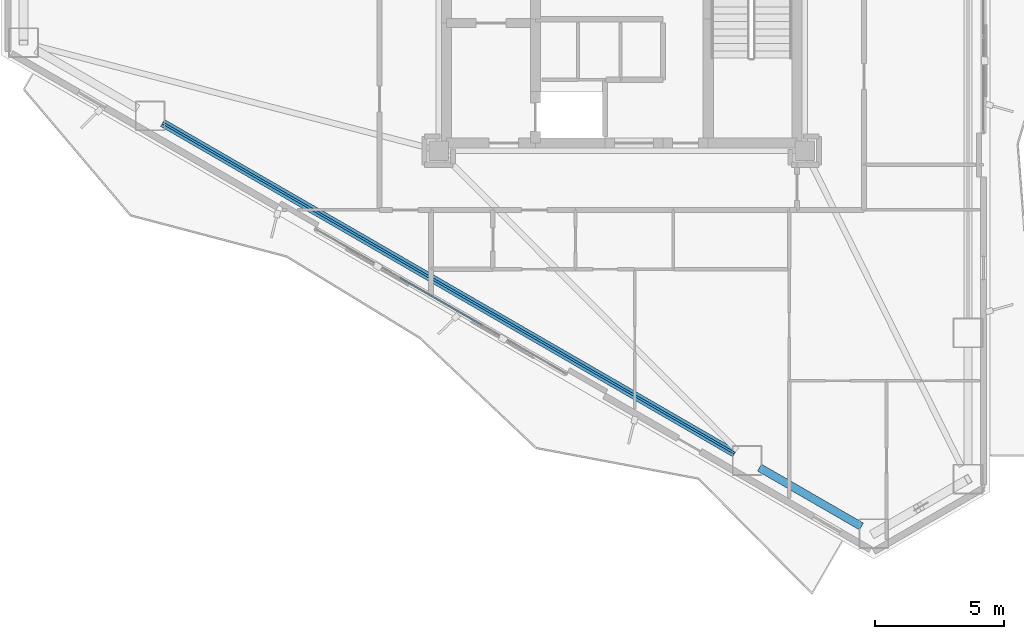
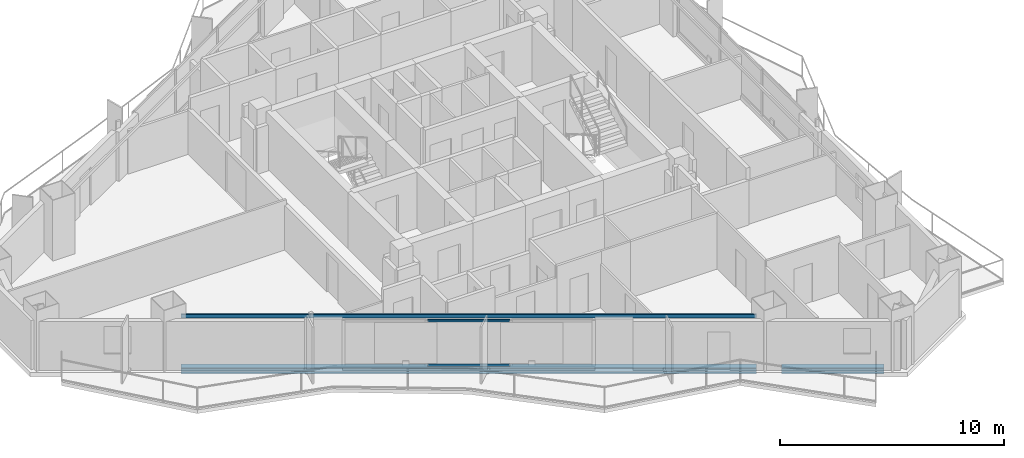
# One storey, part 3 of 22: 3 beams, 2 members, 1 element without a shape of its own.
"""IFC4 building model written with IfcOpenShell, lengths in metres."""

from ifc_helpers import new_model, si_unit, direction, frame, origin, origin_2d, place, context, subcontext, project, spatial, hollow_rectangle, i_section, extrude, material, layer, layer_set, material_profile, profile_set, type_object, element, aggregate, save


model = new_model("IFC4")

# Units and contexts
model_context = context("Model", 3, precision=1e-05, world=origin(), true_north=direction((0.0, 1.0)))
body_context = subcontext(model_context, "Body", "Model", "MODEL_VIEW")
ifc_project = project(units=[si_unit("LENGTHUNIT", "METRE"), si_unit("AREAUNIT", "SQUARE_METRE"), si_unit("VOLUMEUNIT", "CUBIC_METRE"), si_unit("PLANEANGLEUNIT", "RADIAN"), si_unit("MASSUNIT", "GRAM", prefix="KILO")], contexts=[model_context])

# Site, building, storey
site_placement = place(None, origin())
site = spatial("IfcSite", under=ifc_project, at=site_placement, CompositionType="ELEMENT")
building_placement = place(site_placement, origin())
building = spatial("IfcBuilding", under=site, at=building_placement, Name="Mersakhor Tower and Convention Hall", CompositionType="ELEMENT")
storey_placement = place(building_placement, frame((0.0, 0.0, 109.800048828125)))
storey = spatial("IfcBuildingStorey", under=building, at=storey_placement, Name="L30", CompositionType="ELEMENT", Elevation=109.800048828125)

# Beams
ifc_material_1 = material(Name="Steel S355", Category="steel")
ifc_material_profile_1 = material_profile(ifc_material_1, hollow_rectangle(XDim=0.080078125, YDim=0.179931640625, WallThickness=0.008056640625, at=origin_2d()), Name="RHS 180x80x8")
ifc_profile_set_1 = profile_set([ifc_material_profile_1], Name="Steel S355")
beam_type_1 = type_object("IfcBeamType", Name="BM-GRT-RHS180", PredefinedType="USERDEFINED", material=ifc_profile_set_1)
beam_1_placement = place(storey_placement, frame((33.38232421875, 8.706787109375, 2.47998046875), z_axis=(-0.866022538643, 0.500004962538, 0.0), x_axis=(-0.500004962538, -0.866022538643, 0.0)))
element("IfcBeam", 1, at=beam_1_placement, inside=storey, type_object=beam_type_1, Name="L30 Facade Support Girt GRT-F3", ObjectType="GIRT", PredefinedType="USERDEFINED", context=body_context, shape_type="SweptSolid", body=[
    extrude(hollow_rectangle(XDim=0.080078125, YDim=0.179931640625, WallThickness=0.008056640625, at=origin_2d()), origin(), (0.0, 0.0, 1.0), 25.633544921875),
])
ifc_material_2 = material(Name="Steel S355", Category="steel")
ifc_material_profile_2 = material_profile(ifc_material_2, i_section(OverallWidth=0.30908203125, OverallDepth=0.320556640625, WebThickness=0.013916015625, FlangeThickness=0.021728515625, at=origin_2d()), Name="UC 305x305x137")
ifc_profile_set_2 = profile_set([ifc_material_profile_2], Name="Steel S355")
beam_type_2 = type_object("IfcBeamType", Name="BM-SPD-UC305", PredefinedType="SPANDREL", material=ifc_profile_set_2)
beam_2_placement = place(storey_placement, frame((38.298095703125, 5.868896484375, -0.410400390625), z_axis=(-0.866046694585, 0.499963121439, 0.0), x_axis=(-0.499963121439, -0.866046694585, 0.0)))
element("IfcBeam", 2, at=beam_2_placement, inside=storey, type_object=beam_type_2, Name="L30 Perimeter Spandrel Beam SPB-09", PredefinedType="SPANDREL", context=body_context, shape_type="SweptSolid", body=[
    extrude(i_section(OverallWidth=0.30908203125, OverallDepth=0.320556640625, WebThickness=0.013916015625, FlangeThickness=0.021728515625, at=origin_2d()), origin(), (0.0, 0.0, 1.0), 4.566162109375),
])
beam_3_placement = place(storey_placement, frame((33.38232421875, 8.706787109375, -0.410400390625), z_axis=(-0.866022538643, 0.500004962538, 0.0), x_axis=(-0.500004962538, -0.866022538643, 0.0)))
element("IfcBeam", 3, at=beam_3_placement, inside=storey, type_object=beam_type_2, Name="L30 Perimeter Spandrel Beam SPB-10", PredefinedType="SPANDREL", context=body_context, shape_type="SweptSolid", body=[
    extrude(i_section(OverallWidth=0.30908203125, OverallDepth=0.320556640625, WebThickness=0.013916015625, FlangeThickness=0.021728515625, at=origin_2d()), origin(), (0.0, 0.0, 1.0), 25.633544921875),
])

# Curtain wall, members
ifc_material_3 = material(Name="Dark solar low-E aluminium curtain wall", Category="aluminium")
ifc_layer = layer(ifc_material_3, 0.159912109375)
ifc_layer_set = layer_set([ifc_layer], Name="Dark solar low-E aluminium curtain wall")
curtain_wall_type = type_object("IfcCurtainWallType", Name="CW-SYS-01", PredefinedType="USERDEFINED", material=ifc_layer_set)
curtain_wall_placement = place(storey_placement, origin())
curtain_wall = element("IfcCurtainWall", 4, at=curtain_wall_placement, inside=storey, type_object=curtain_wall_type, Name="L30 Dark-Glass Curtain Wall F3-B2", ObjectType="CURTAIN WALL", PredefinedType="USERDEFINED")
ifc_material_4 = material(Name="Anodised aluminium EN AW-6063 T6", Category="aluminium")
ifc_material_profile_3 = material_profile(ifc_material_4, hollow_rectangle(XDim=0.06005859375, YDim=0.1201171875, WallThickness=0.0048828125, at=origin_2d()), Name="RHS 120x60x5")
ifc_profile_set_3 = profile_set([ifc_material_profile_3], Name="Anodised aluminium EN AW-6063 T6")
member_type = type_object("IfcMemberType", Name="CWT-120x60", PredefinedType="USERDEFINED", material=ifc_profile_set_3)
member_1_placement = place(storey_placement, frame((23.571044921875, 13.6787109375, 0.22998046875), z_axis=(-0.866039286129, 0.499975954304, 0.0), x_axis=(-0.499975954304, -0.866039286129, 0.0)))
member_1 = element("IfcMember", 5, at=member_1_placement, type_object=member_type, Name="CW-01 transom 2.1", ObjectType="TRANSOM", PredefinedType="USERDEFINED", context=body_context, shape_type="SweptSolid", body=[
    extrude(hollow_rectangle(XDim=0.06005859375, YDim=0.1201171875, WallThickness=0.0048828125, at=origin_2d()), origin(), (0.0, 0.0, 1.0), 3.668212890625),
])
member_2_placement = place(storey_placement, frame((23.571044921875, 13.6787109375, 2.639892578125), z_axis=(-0.866039286129, 0.499975954304, 0.0), x_axis=(-0.499975954304, -0.866039286129, 0.0)))
member_2 = element("IfcMember", 6, at=member_2_placement, type_object=member_type, Name="CW-01 transom 2.2", ObjectType="TRANSOM", PredefinedType="USERDEFINED", context=body_context, shape_type="SweptSolid", body=[
    extrude(hollow_rectangle(XDim=0.06005859375, YDim=0.1201171875, WallThickness=0.0048828125, at=origin_2d()), origin(), (0.0, 0.0, 1.0), 3.668212890625),
])
aggregate(curtain_wall, [member_1, member_2])

save(model, "model.ifc")
